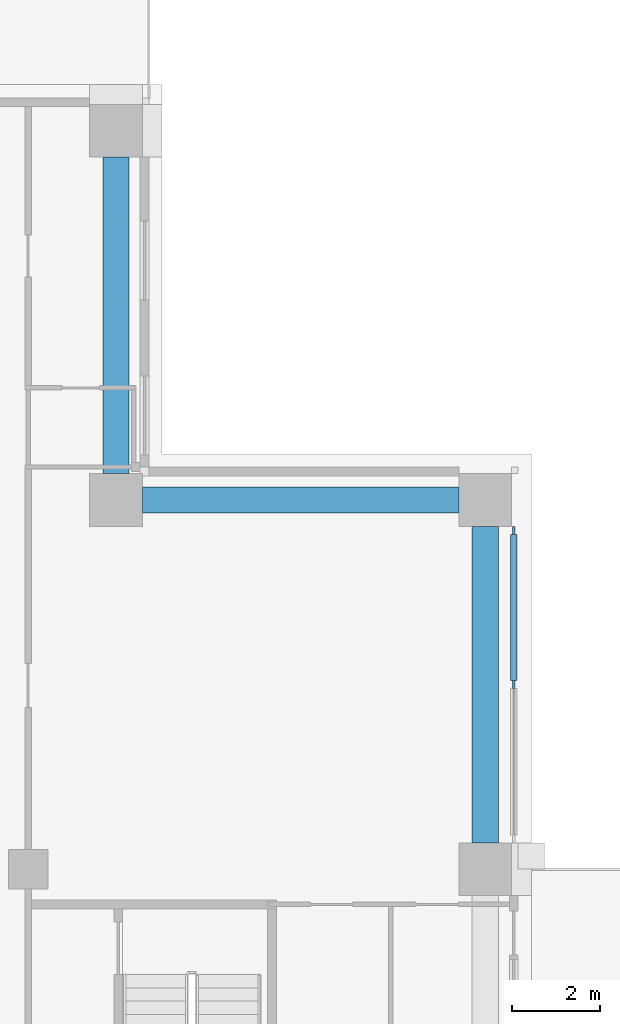
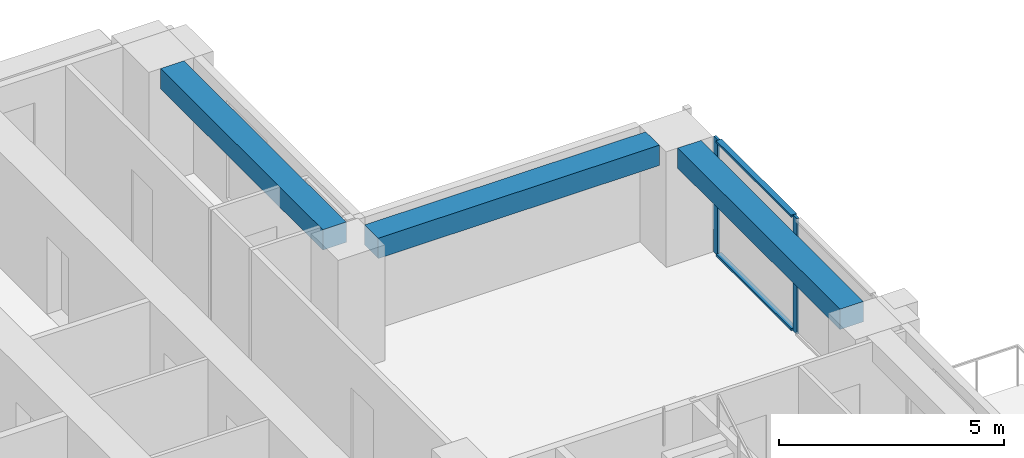
# One storey, part 6 of 18: 4 members, 3 beams, 1 element without a shape of its own.
"""IFC4 building model written with IfcOpenShell, lengths in metres."""

from ifc_helpers import new_model, si_unit, direction, frame, origin, origin_2d, place, context, subcontext, project, spatial, rectangle, extrude, material, material_profile, profile_set, type_object, element, aggregate, save


model = new_model("IFC4")

# Units and contexts
model_context = context("Model", 3, precision=1e-05, world=origin(), true_north=direction((0.0, 1.0)))
body_context = subcontext(model_context, "Body", "Model", "MODEL_VIEW")
ifc_project = project(units=[si_unit("LENGTHUNIT", "METRE"), si_unit("AREAUNIT", "SQUARE_METRE"), si_unit("VOLUMEUNIT", "CUBIC_METRE"), si_unit("PLANEANGLEUNIT", "RADIAN"), si_unit("MASSUNIT", "GRAM", prefix="KILO")], contexts=[model_context])

# Site, building, storey
site_placement = place(None, origin())
site = spatial("IfcSite", under=ifc_project, at=site_placement, CompositionType="ELEMENT")
building_placement = place(site_placement, origin())
building = spatial("IfcBuilding", under=site, at=building_placement, Name="Vermilion Ogive Tower", CompositionType="ELEMENT")
storey_placement = place(building_placement, frame((0.0, 0.0, 108.0)))
storey = spatial("IfcBuildingStorey", under=building, at=storey_placement, Name="L27", CompositionType="ELEMENT", Elevation=108.0)

# Curtain wall, members
ifc_material_1 = material(Name="Low-iron laminated glazing in aluminium frame", Category="aluminium")
curtain_wall_type = type_object("IfcCurtainWallType", Name="Curtain wall CW7", PredefinedType="NOTDEFINED", material=ifc_material_1)
curtain_wall_placement = place(storey_placement, origin())
curtain_wall = element("IfcCurtainWall", 1, at=curtain_wall_placement, inside=storey, type_object=curtain_wall_type, Name="Glazed skin E3", PredefinedType="NOTDEFINED")
ifc_material_2 = material(Name="Aluminium mullion", Category="aluminium")
ifc_material_profile_1 = material_profile(ifc_material_2, rectangle(XDim=0.06005859375, YDim=0.179931640625, at=origin_2d()), Name="AL 60x180")
ifc_profile_set_1 = profile_set([ifc_material_profile_1], Name="Aluminium mullion")
member_type_1 = type_object("IfcMemberType", Name="CW7 mullion 60x180", PredefinedType="MULLION", material=ifc_profile_set_1)
member_1_placement = place(storey_placement, frame((25.85009765625, 8.39990234375, 0.0), z_axis=(0.0, 0.0, 1.0), x_axis=(-1.0, 0.0, 0.0)))
member_1 = element("IfcMember", 2, at=member_1_placement, type_object=member_type_1, Name="CW7-E3 mullion 2", PredefinedType="MULLION", context=body_context, shape_type="SweptSolid", body=[
    extrude(rectangle(XDim=0.06005859375, YDim=0.179931640625, at=origin_2d()), origin(), (0.0, 0.0, 1.0), 3.1298828125),
])
member_2_placement = place(storey_placement, frame((25.85009765625, 11.909912109375, 0.0), z_axis=(0.0, 0.0, 1.0), x_axis=(-1.0, 0.0, 0.0)))
member_2 = element("IfcMember", 3, at=member_2_placement, type_object=member_type_1, Name="CW7-E3 mullion 3", PredefinedType="MULLION", context=body_context, shape_type="SweptSolid", body=[
    extrude(rectangle(XDim=0.06005859375, YDim=0.179931640625, at=origin_2d()), origin(), (0.0, 0.0, 1.0), 3.1298828125),
])
ifc_material_3 = material(Name="Aluminium transom", Category="aluminium")
ifc_material_profile_2 = material_profile(ifc_material_3, rectangle(XDim=0.139892578125, YDim=0.06005859375, at=origin_2d()), Name="AL 60x140")
ifc_profile_set_2 = profile_set([ifc_material_profile_2], Name="Aluminium transom")
member_type_2 = type_object("IfcMemberType", Name="CW7 transom 60x140", PredefinedType="USERDEFINED", material=ifc_profile_set_2)
member_3_placement = place(storey_placement, frame((25.85009765625, 8.489990234375, 0.030029296875), z_axis=(0.0, 1.0, 0.0), x_axis=(-1.0, 0.0, 0.0)))
member_3 = element("IfcMember", 4, at=member_3_placement, type_object=member_type_2, Name="CW7-E3 transom 2.1", ObjectType="TRANSOM", PredefinedType="USERDEFINED", context=body_context, shape_type="SweptSolid", body=[
    extrude(rectangle(XDim=0.139892578125, YDim=0.06005859375, at=origin_2d()), origin(), (0.0, 0.0, 1.0), 3.330078125),
])
member_4_placement = place(storey_placement, frame((25.85009765625, 8.489990234375, 3.10009765625), z_axis=(0.0, 1.0, 0.0), x_axis=(-1.0, 0.0, 0.0)))
member_4 = element("IfcMember", 5, at=member_4_placement, type_object=member_type_2, Name="CW7-E3 transom 2.2", ObjectType="TRANSOM", PredefinedType="USERDEFINED", context=body_context, shape_type="SweptSolid", body=[
    extrude(rectangle(XDim=0.139892578125, YDim=0.06005859375, at=origin_2d()), origin(), (0.0, 0.0, 1.0), 3.330078125),
])
aggregate(curtain_wall, [member_1, member_2, member_3, member_4])

# Beams
ifc_material_4 = material(Name="Concrete B45", Category="concrete")
ifc_material_profile_3 = material_profile(ifc_material_4, rectangle(XDim=0.60009765625, YDim=0.550048828125, at=origin_2d()), Name="600 x 550")
ifc_profile_set_3 = profile_set([ifc_material_profile_3], Name="Concrete B45")
beam_type = type_object("IfcBeamType", Name="Edge beam 600 x 550 B45", PredefinedType="BEAM", material=ifc_profile_set_3)
beam_1_placement = place(storey_placement, frame((25.199951171875, 4.800048828125, 2.85498046875), z_axis=(0.0, 1.0, 0.0), x_axis=(-1.0, 0.0, 0.0)))
element("IfcBeam", 6, at=beam_1_placement, inside=storey, type_object=beam_type, Name="L27-EB-9", PredefinedType="BEAM", context=body_context, shape_type="SweptSolid", body=[
    extrude(rectangle(XDim=0.60009765625, YDim=0.550048828125, at=origin_2d()), origin(), (0.0, 0.0, 1.0), 7.199951171875),
])
beam_2_placement = place(storey_placement, frame((24.60009765625, 12.60009765625, 2.85498046875), z_axis=(-1.0, 0.0, 0.0), x_axis=(0.0, -1.0, 0.0)))
element("IfcBeam", 7, at=beam_2_placement, inside=storey, type_object=beam_type, Name="L27-EB-10", PredefinedType="BEAM", context=body_context, shape_type="SweptSolid", body=[
    extrude(rectangle(XDim=0.60009765625, YDim=0.550048828125, at=origin_2d()), origin(), (0.0, 0.0, 1.0), 7.2001953125),
])
beam_3_placement = place(storey_placement, frame((16.800048828125, 13.199951171875, 2.85498046875), z_axis=(0.0, 1.0, 0.0), x_axis=(-1.0, 0.0, 0.0)))
element("IfcBeam", 8, at=beam_3_placement, inside=storey, type_object=beam_type, Name="L27-EB-11", PredefinedType="BEAM", context=body_context, shape_type="SweptSolid", body=[
    extrude(rectangle(XDim=0.60009765625, YDim=0.550048828125, at=origin_2d()), origin(), (0.0, 0.0, 1.0), 7.199951171875),
])

save(model, "model.ifc")
